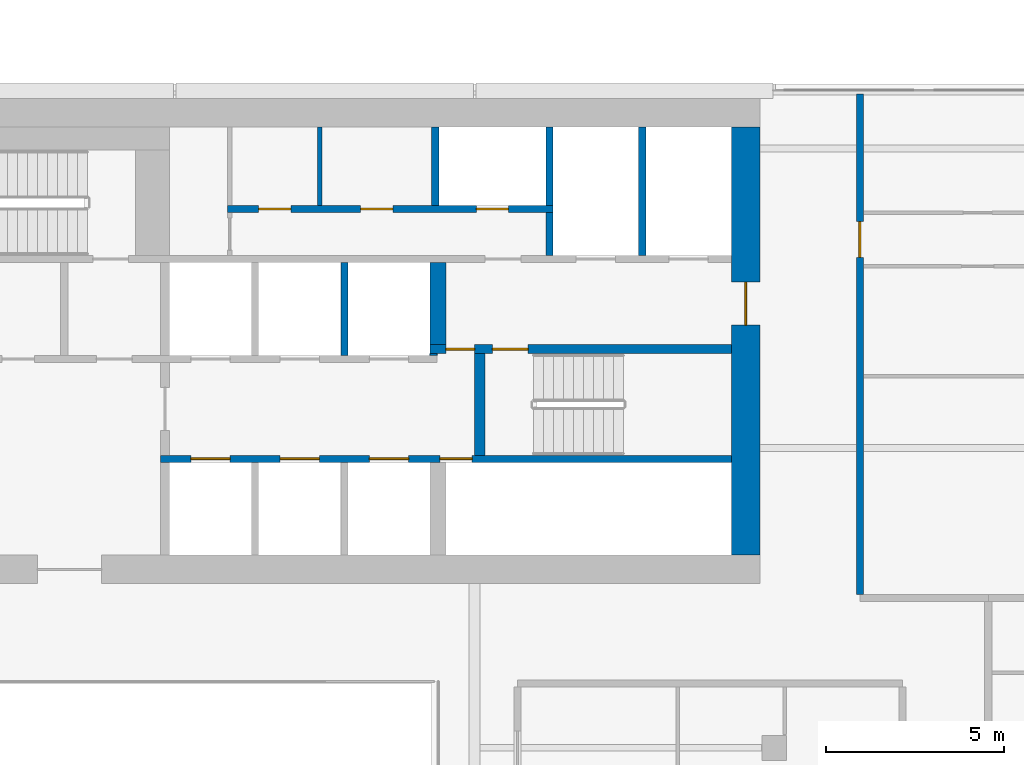
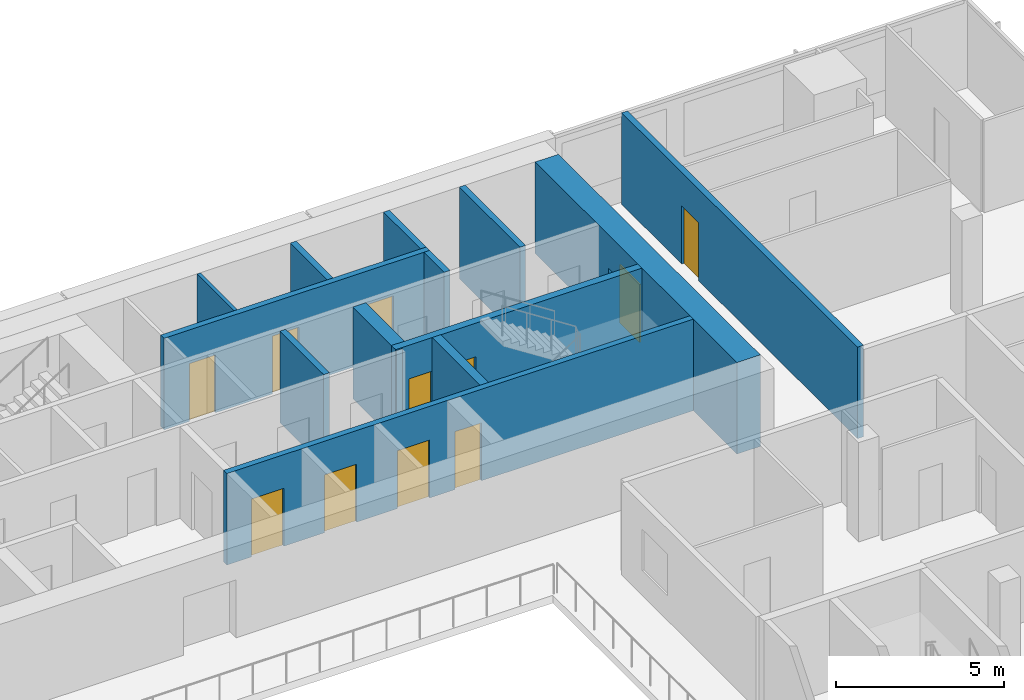
# One storey, part 22 of 28: 14 walls, 11 doors, 11 openings.
"""IFC4 building model written with IfcOpenShell, lengths in metres."""

from ifc_helpers import new_model, si_unit, direction, frame, frame_2d, origin, place, context, subcontext, project, spatial, rectangle, extrude, material, layer, layer_set, type_object, element, fill, save


model = new_model("IFC4")

# Units and contexts
model_context = context("Model", 3, precision=1e-05, world=origin(), true_north=direction((0.0, 1.0)))
body_context = subcontext(model_context, "Body", "Model", "MODEL_VIEW")
ifc_project = project(units=[si_unit("LENGTHUNIT", "METRE"), si_unit("AREAUNIT", "SQUARE_METRE"), si_unit("VOLUMEUNIT", "CUBIC_METRE"), si_unit("PLANEANGLEUNIT", "RADIAN"), si_unit("MASSUNIT", "GRAM", prefix="KILO")], contexts=[model_context])

# Site, building, storey
site_placement = place(None, origin())
site = spatial("IfcSite", under=ifc_project, at=site_placement, CompositionType="ELEMENT")
building_placement = place(site_placement, origin())
building = spatial("IfcBuilding", under=site, at=building_placement, Name="Saffron Gate Tower", CompositionType="ELEMENT")
storey_placement = place(building_placement, frame((0.0, 0.0, 154.64990234375)))
storey = spatial("IfcBuildingStorey", under=building, at=storey_placement, Name="L37", CompositionType="ELEMENT", Elevation=154.64990234375)

# Wall, opening, door
ifc_material_1 = material(Name="Concrete C60", Category="concrete")
ifc_layer_1 = layer(ifc_material_1, 0.800048828125)
ifc_layer_set_1 = layer_set([ifc_layer_1], Name="CW13 RC core wall 800 C60")
wall_type_1 = type_object("IfcWallType", Name="CW13 RC core wall 800 C60", PredefinedType="SOLIDWALL", material=ifc_layer_set_1)
wall_1_placement = place(storey_placement, frame((107.800048828125, 62.39990234375, 0.0), z_axis=(0.0, 0.0, 1.0), x_axis=(0.0, 1.0, 0.0)))
wall_1 = element("IfcWall", 1, at=wall_1_placement, inside=storey, type_object=wall_type_1, Name="Wall CW13-L37-4", PredefinedType="SOLIDWALL", context=body_context, shape_type="SweptSolid", body=[
    extrude(rectangle(XDim=12.0, YDim=0.800048828125, at=frame_2d((6.0, 0.0))), origin(), (0.0, 0.0, 1.0), 3.320068359375),
])
opening_1_placement = place(wall_1_placement, frame((6.449951171875, 0.0, 0.0)))
opening_1 = element("IfcOpeningElement", 2, at=opening_1_placement, cuts=wall_1, Name="Opening CR-08", PredefinedType="OPENING", context=body_context, shape_type="SweptSolid", body=[
    extrude(rectangle(XDim=1.199951171875, YDim=2.10009765625, at=frame_2d((0.60009765625, 1.050048828125))), frame((0.0, 0.41015625, 0.0), z_axis=(0.0, -1.0, 0.0), x_axis=(1.0, 0.0, 0.0)), (0.0, 0.0, 1.0), 0.820068359375),
])
ifc_material_2 = material(Name="Steel fire door set", Category="steel")
door_type_1 = type_object("IfcDoorType", Name="CD7 Core entrance door 1200x2100 EI 120", OperationType="NOTDEFINED", PredefinedType="DOOR", material=ifc_material_2)
door_1_placement = place(opening_1_placement, origin())
door_1 = element("IfcDoor", 3, at=door_1_placement, inside=storey, type_object=door_type_1, Name="DOOR CR-08", OperationType="SINGLE_SWING_RIGHT", OverallHeight=2.10009765625, OverallWidth=1.199951171875, PredefinedType="DOOR", context=body_context, shape_type="SweptSolid", body=[
    extrude(rectangle(XDim=1.199951171875, YDim=2.10009765625, at=frame_2d((0.60009765625, 1.050048828125))), frame((0.0, 0.02490234375, 0.0), z_axis=(0.0, -1.0, 0.0), x_axis=(1.0, 0.0, 0.0)), (0.0, 0.0, 1.0), 0.050048828125),
])
fill(opening_1, door_1)

# Wall, openings, doors
ifc_layer_2 = layer(ifc_material_1, 0.25)
ifc_layer_set_2 = layer_set([ifc_layer_2], Name="CW14 RC core wall 250 C60")
wall_type_2 = type_object("IfcWallType", Name="CW14 RC core wall 250 C60", PredefinedType="SOLIDWALL", material=ifc_layer_set_2)
wall_2_placement = place(storey_placement, frame((98.949951171875, 68.175048828125, 0.0), z_axis=(0.0, 0.0, 1.0), x_axis=(1.0, 0.0, 0.0)))
wall_2 = element("IfcWall", 4, at=wall_2_placement, inside=storey, type_object=wall_type_2, Name="Wall CW14-L37-28", PredefinedType="SOLIDWALL", context=body_context, shape_type="SweptSolid", body=[
    extrude(rectangle(XDim=8.449951171875, YDim=0.25, at=frame_2d((4.22509765625, 0.0))), origin(), (0.0, 0.0, 1.0), 3.320068359375),
])
opening_2_placement = place(wall_2_placement, frame((0.449951171875, 0.0, 0.0)))
opening_2 = element("IfcOpeningElement", 5, at=opening_2_placement, cuts=wall_2, Name="Opening CR-05", PredefinedType="OPENING", context=body_context, shape_type="SweptSolid", body=[
    extrude(rectangle(XDim=0.800048828125, YDim=2.10009765625, at=frame_2d((0.39990234375, 1.050048828125))), frame((0.0, 0.135009765625, 0.0), z_axis=(0.0, -1.0, 0.0), x_axis=(1.0, 0.0, 0.0)), (0.0, 0.0, 1.0), 0.27001953125),
])
opening_3_placement = place(wall_2_placement, frame((1.75, 0.0, 0.0)))
opening_3 = element("IfcOpeningElement", 6, at=opening_3_placement, cuts=wall_2, Name="Opening CR-16", PredefinedType="OPENING", context=body_context, shape_type="SweptSolid", body=[
    extrude(rectangle(XDim=1.0, YDim=2.10009765625, at=frame_2d((0.5, 1.050048828125))), frame((0.0, 0.135009765625, 0.0), z_axis=(0.0, -1.0, 0.0), x_axis=(1.0, 0.0, 0.0)), (0.0, 0.0, 1.0), 0.27001953125),
])
door_type_2 = type_object("IfcDoorType", Name="CD5 Stair door 1000x2100 EI 120", OperationType="NOTDEFINED", PredefinedType="DOOR", material=ifc_material_2)
door_2_placement = place(opening_3_placement, origin())
door_2 = element("IfcDoor", 7, at=door_2_placement, inside=storey, type_object=door_type_2, Name="DOOR CR-16", OperationType="SINGLE_SWING_RIGHT", OverallHeight=2.10009765625, OverallWidth=1.0, PredefinedType="DOOR", context=body_context, shape_type="SweptSolid", body=[
    extrude(rectangle(XDim=1.0, YDim=2.10009765625, at=frame_2d((0.5, 1.050048828125))), frame((0.0, 0.02490234375, 0.0), z_axis=(0.0, -1.0, 0.0), x_axis=(1.0, 0.0, 0.0)), (0.0, 0.0, 1.0), 0.050048828125),
])
fill(opening_3, door_2)
door_type_3 = type_object("IfcDoorType", Name="CD6 Lobby door 800x2100 EI 120", OperationType="NOTDEFINED", PredefinedType="DOOR", material=ifc_material_2)
door_3_placement = place(opening_2_placement, origin())
door_3 = element("IfcDoor", 8, at=door_3_placement, inside=storey, type_object=door_type_3, Name="DOOR CR-05", OperationType="SINGLE_SWING_LEFT", OverallHeight=2.10009765625, OverallWidth=0.800048828125, PredefinedType="DOOR", context=body_context, shape_type="SweptSolid", body=[
    extrude(rectangle(XDim=0.800048828125, YDim=2.10009765625, at=frame_2d((0.39990234375, 1.050048828125))), frame((0.0, 0.02490234375, 0.0), z_axis=(0.0, -1.0, 0.0), x_axis=(1.0, 0.0, 0.0)), (0.0, 0.0, 1.0), 0.050048828125),
])
fill(opening_2, door_3)

ifc_layer_3 = layer(ifc_material_1, 0.199951171875)
ifc_layer_set_3 = layer_set([ifc_layer_3], Name="CW15 RC core wall 200 C60")
wall_type_3 = type_object("IfcWallType", Name="CW15 RC core wall 200 C60", PredefinedType="SOLIDWALL", material=ifc_layer_set_3)
wall_3_placement = place(storey_placement, frame((91.39990234375, 65.10009765625, 0.0), z_axis=(0.0, 0.0, 1.0), x_axis=(1.0, 0.0, 0.0)))
wall_3 = element("IfcWall", 9, at=wall_3_placement, inside=storey, type_object=wall_type_3, Name="Wall CW15-L37-13", PredefinedType="SOLIDWALL", context=body_context, shape_type="SweptSolid", body=[
    extrude(rectangle(XDim=16.0, YDim=0.199951171875, at=frame_2d((8.0, 0.0))), origin(), (0.0, 0.0, 1.0), 3.320068359375),
])
opening_4_placement = place(wall_3_placement, frame((0.85009765625, 0.0, 0.0)))
opening_4 = element("IfcOpeningElement", 10, at=opening_4_placement, cuts=wall_3, Name="Opening LD-HR1", PredefinedType="OPENING", context=body_context, shape_type="SweptSolid", body=[
    extrude(rectangle(XDim=1.10009765625, YDim=2.10009765625, at=frame_2d((0.550048828125, 1.050048828125))), frame((0.0, 0.10986328125, 0.0), z_axis=(0.0, -1.0, 0.0), x_axis=(1.0, 0.0, 0.0)), (0.0, 0.0, 1.0), 0.219970703125),
])
opening_5_placement = place(wall_3_placement, frame((3.35009765625, 0.0, 0.0)))
opening_5 = element("IfcOpeningElement", 11, at=opening_5_placement, cuts=wall_3, Name="Opening LD-HR2", PredefinedType="OPENING", context=body_context, shape_type="SweptSolid", body=[
    extrude(rectangle(XDim=1.10009765625, YDim=2.10009765625, at=frame_2d((0.550048828125, 1.050048828125))), frame((0.0, 0.10986328125, 0.0), z_axis=(0.0, -1.0, 0.0), x_axis=(1.0, 0.0, 0.0)), (0.0, 0.0, 1.0), 0.219970703125),
])
opening_6_placement = place(wall_3_placement, frame((5.85009765625, 0.0, 0.0)))
opening_6 = element("IfcOpeningElement", 12, at=opening_6_placement, cuts=wall_3, Name="Opening LD-HR3", PredefinedType="OPENING", context=body_context, shape_type="SweptSolid", body=[
    extrude(rectangle(XDim=1.10009765625, YDim=2.10009765625, at=frame_2d((0.550048828125, 1.050048828125))), frame((0.0, 0.10986328125, 0.0), z_axis=(0.0, -1.0, 0.0), x_axis=(1.0, 0.0, 0.0)), (0.0, 0.0, 1.0), 0.219970703125),
])
opening_7_placement = place(wall_3_placement, frame((7.830078125, 0.0, 0.0)))
opening_7 = element("IfcOpeningElement", 13, at=opening_7_placement, cuts=wall_3, Name="Opening CR-48", PredefinedType="OPENING", context=body_context, shape_type="SweptSolid", body=[
    extrude(rectangle(XDim=0.89990234375, YDim=2.10009765625, at=frame_2d((0.449951171875, 1.050048828125))), frame((0.0, 0.10986328125, 0.0), z_axis=(0.0, -1.0, 0.0), x_axis=(1.0, 0.0, 0.0)), (0.0, 0.0, 1.0), 0.219970703125),
])
door_type_4 = type_object("IfcDoorType", Name="CD2 Riser door 900x2100 EI 60", OperationType="NOTDEFINED", PredefinedType="DOOR", material=ifc_material_2)
door_4_placement = place(opening_7_placement, origin())
door_4 = element("IfcDoor", 14, at=door_4_placement, inside=storey, type_object=door_type_4, Name="DOOR CR-48", OperationType="SINGLE_SWING_RIGHT", OverallHeight=2.10009765625, OverallWidth=0.89990234375, PredefinedType="DOOR", context=body_context, shape_type="SweptSolid", body=[
    extrude(rectangle(XDim=0.89990234375, YDim=2.10009765625, at=frame_2d((0.449951171875, 1.050048828125))), frame((0.0, 0.02490234375, 0.0), z_axis=(0.0, -1.0, 0.0), x_axis=(1.0, 0.0, 0.0)), (0.0, 0.0, 1.0), 0.050048828125),
])
fill(opening_7, door_4)
ifc_material_3 = material(Name="Stainless steel landing door", Category="steel")
door_type_5 = type_object("IfcDoorType", Name="LD Lift landing door 1100x2100 EI 120", OperationType="SLIDING_TO_LEFT", PredefinedType="DOOR", material=ifc_material_3)
door_5_placement = place(opening_4_placement, origin())
door_5 = element("IfcDoor", 15, at=door_5_placement, inside=storey, type_object=door_type_5, Name="LANDING DOOR LD-HR1", OperationType="SLIDING_TO_LEFT", OverallHeight=2.10009765625, OverallWidth=1.10009765625, PredefinedType="DOOR", context=body_context, shape_type="SweptSolid", body=[
    extrude(rectangle(XDim=1.10009765625, YDim=2.10009765625, at=frame_2d((0.550048828125, 1.050048828125))), frame((0.0, 0.02490234375, 0.0), z_axis=(0.0, -1.0, 0.0), x_axis=(1.0, 0.0, 0.0)), (0.0, 0.0, 1.0), 0.050048828125),
])
fill(opening_4, door_5)
door_6_placement = place(opening_5_placement, origin())
door_6 = element("IfcDoor", 16, at=door_6_placement, inside=storey, type_object=door_type_5, Name="LANDING DOOR LD-HR2", OperationType="SLIDING_TO_LEFT", OverallHeight=2.10009765625, OverallWidth=1.10009765625, PredefinedType="DOOR", context=body_context, shape_type="SweptSolid", body=[
    extrude(rectangle(XDim=1.10009765625, YDim=2.10009765625, at=frame_2d((0.550048828125, 1.050048828125))), frame((0.0, 0.02490234375, 0.0), z_axis=(0.0, -1.0, 0.0), x_axis=(1.0, 0.0, 0.0)), (0.0, 0.0, 1.0), 0.050048828125),
])
fill(opening_5, door_6)
door_7_placement = place(opening_6_placement, origin())
door_7 = element("IfcDoor", 17, at=door_7_placement, inside=storey, type_object=door_type_5, Name="LANDING DOOR LD-HR3", OperationType="SLIDING_TO_LEFT", OverallHeight=2.10009765625, OverallWidth=1.10009765625, PredefinedType="DOOR", context=body_context, shape_type="SweptSolid", body=[
    extrude(rectangle(XDim=1.10009765625, YDim=2.10009765625, at=frame_2d((0.550048828125, 1.050048828125))), frame((0.0, 0.02490234375, 0.0), z_axis=(0.0, -1.0, 0.0), x_axis=(1.0, 0.0, 0.0)), (0.0, 0.0, 1.0), 0.050048828125),
])
fill(opening_6, door_7)

# Walls
wall_4_placement = place(storey_placement, frame((96.550048828125, 68.0, 0.0), z_axis=(0.0, 0.0, 1.0), x_axis=(0.0, 1.0, 0.0)))
element("IfcWall", 18, at=wall_4_placement, inside=storey, type_object=wall_type_3, Name="Wall CW15-L37-25", PredefinedType="SOLIDWALL", context=body_context, shape_type="SweptSolid", body=[
    extrude(rectangle(XDim=2.60009765625, YDim=0.199951171875, at=frame_2d((1.300048828125, 0.0))), origin(), (0.0, 0.0, 1.0), 3.320068359375),
])
wall_5_placement = place(storey_placement, frame((102.300048828125, 70.800048828125, 0.0), z_axis=(0.0, 0.0, 1.0), x_axis=(0.0, 1.0, 0.0)))
element("IfcWall", 19, at=wall_5_placement, inside=storey, type_object=wall_type_3, Name="Wall CW15-L37-38", PredefinedType="SOLIDWALL", context=body_context, shape_type="SweptSolid", body=[
    extrude(rectangle(XDim=1.199951171875, YDim=0.199951171875, at=frame_2d((0.60009765625, 0.0))), origin(), (0.0, 0.0, 1.0), 3.320068359375),
])
wall_6_placement = place(storey_placement, frame((104.89990234375, 70.800048828125, 0.0), z_axis=(0.0, 0.0, 1.0), x_axis=(0.0, 1.0, 0.0)))
element("IfcWall", 20, at=wall_6_placement, inside=storey, type_object=wall_type_3, Name="Wall CW15-L37-39", PredefinedType="SOLIDWALL", context=body_context, shape_type="SweptSolid", body=[
    extrude(rectangle(XDim=3.599853515625, YDim=0.199951171875, at=frame_2d((1.7998046875, 0.0))), origin(), (0.0, 0.0, 1.0), 3.320068359375),
])

# Wall, openings, doors
wall_7_placement = place(storey_placement, frame((93.280029296875, 72.10009765625, 0.0), z_axis=(0.0, 0.0, 1.0), x_axis=(1.0, 0.0, 0.0)))
wall_7 = element("IfcWall", 21, at=wall_7_placement, inside=storey, type_object=wall_type_3, Name="Wall CW15-L37-41", PredefinedType="SOLIDWALL", context=body_context, shape_type="SweptSolid", body=[
    extrude(rectangle(XDim=9.119873046875, YDim=0.199951171875, at=frame_2d((4.56005859375, 0.0))), origin(), (0.0, 0.0, 1.0), 3.320068359375),
])
opening_8_placement = place(wall_7_placement, frame((0.8701171875, 0.0, 0.0)))
opening_8 = element("IfcOpeningElement", 22, at=opening_8_placement, cuts=wall_7, Name="Opening CR-50", PredefinedType="OPENING", context=body_context, shape_type="SweptSolid", body=[
    extrude(rectangle(XDim=0.89990234375, YDim=2.10009765625, at=frame_2d((0.449951171875, 1.050048828125))), frame((0.0, 0.10986328125, 0.0), z_axis=(0.0, -1.0, 0.0), x_axis=(1.0, 0.0, 0.0)), (0.0, 0.0, 1.0), 0.219970703125),
])
opening_9_placement = place(wall_7_placement, frame((3.72998046875, 0.0, 0.0)))
opening_9 = element("IfcOpeningElement", 23, at=opening_9_placement, cuts=wall_7, Name="Opening CR-53", PredefinedType="OPENING", context=body_context, shape_type="SweptSolid", body=[
    extrude(rectangle(XDim=0.89990234375, YDim=2.10009765625, at=frame_2d((0.449951171875, 1.050048828125))), frame((0.0, 0.10986328125, 0.0), z_axis=(0.0, -1.0, 0.0), x_axis=(1.0, 0.0, 0.0)), (0.0, 0.0, 1.0), 0.219970703125),
])
opening_10_placement = place(wall_7_placement, frame((6.969970703125, 0.0, 0.0)))
opening_10 = element("IfcOpeningElement", 24, at=opening_10_placement, cuts=wall_7, Name="Opening CR-70", PredefinedType="OPENING", context=body_context, shape_type="SweptSolid", body=[
    extrude(rectangle(XDim=0.89990234375, YDim=2.10009765625, at=frame_2d((0.449951171875, 1.050048828125))), frame((0.0, 0.10986328125, 0.0), z_axis=(0.0, -1.0, 0.0), x_axis=(1.0, 0.0, 0.0)), (0.0, 0.0, 1.0), 0.219970703125),
])
door_8_placement = place(opening_10_placement, origin())
door_8 = element("IfcDoor", 25, at=door_8_placement, inside=storey, type_object=door_type_4, Name="DOOR CR-70", OperationType="SINGLE_SWING_LEFT", OverallHeight=2.10009765625, OverallWidth=0.89990234375, PredefinedType="DOOR", context=body_context, shape_type="SweptSolid", body=[
    extrude(rectangle(XDim=0.89990234375, YDim=2.10009765625, at=frame_2d((0.449951171875, 1.050048828125))), frame((0.0, 0.02490234375, 0.0), z_axis=(0.0, -1.0, 0.0), x_axis=(1.0, 0.0, 0.0)), (0.0, 0.0, 1.0), 0.050048828125),
])
fill(opening_10, door_8)
door_type_6 = type_object("IfcDoorType", Name="CD9 Room door 900x2100 EI 60", OperationType="NOTDEFINED", PredefinedType="DOOR", material=ifc_material_2)
door_9_placement = place(opening_8_placement, origin())
door_9 = element("IfcDoor", 26, at=door_9_placement, inside=storey, type_object=door_type_6, Name="DOOR CR-50", OperationType="SINGLE_SWING_LEFT", OverallHeight=2.10009765625, OverallWidth=0.89990234375, PredefinedType="DOOR", context=body_context, shape_type="SweptSolid", body=[
    extrude(rectangle(XDim=0.89990234375, YDim=2.10009765625, at=frame_2d((0.449951171875, 1.050048828125))), frame((0.0, 0.02490234375, 0.0), z_axis=(0.0, -1.0, 0.0), x_axis=(1.0, 0.0, 0.0)), (0.0, 0.0, 1.0), 0.050048828125),
])
fill(opening_8, door_9)
door_10_placement = place(opening_9_placement, origin())
door_10 = element("IfcDoor", 27, at=door_10_placement, inside=storey, type_object=door_type_6, Name="DOOR CR-53", OperationType="SINGLE_SWING_LEFT", OverallHeight=2.10009765625, OverallWidth=0.89990234375, PredefinedType="DOOR", context=body_context, shape_type="SweptSolid", body=[
    extrude(rectangle(XDim=0.89990234375, YDim=2.10009765625, at=frame_2d((0.449951171875, 1.050048828125))), frame((0.0, 0.02490234375, 0.0), z_axis=(0.0, -1.0, 0.0), x_axis=(1.0, 0.0, 0.0)), (0.0, 0.0, 1.0), 0.050048828125),
])
fill(opening_9, door_10)

# Walls
for number, where, z_axis, x_axis, name in (
    (28, (99.10009765625, 72.199951171875, 0.0), (0.0, 0.0, 1.0), (0.0, 1.0, 0.0), "Wall CW15-L37-48"),
    (29, (102.300048828125, 72.199951171875, 0.0), (0.0, 0.0, 1.0), (0.0, 1.0, 0.0), "Wall CW15-L37-49"),
):
    element("IfcWall", number, at=place(storey_placement, frame(where, z_axis=z_axis, x_axis=x_axis)), inside=storey, type_object=wall_type_3, Name=name, PredefinedType="SOLIDWALL", context=body_context, shape_type="SweptSolid", body=[
        extrude(rectangle(XDim=2.199951171875, YDim=0.199951171875, at=frame_2d((1.10009765625, 0.0))), origin(), (0.0, 0.0, 1.0), 3.320068359375),
    ])
ifc_layer_4 = layer(ifc_material_1, 0.449951171875)
ifc_layer_set_4 = layer_set([ifc_layer_4], Name="CW16 RC core wall 450 C60")
wall_type_4 = type_object("IfcWallType", Name="CW16 RC core wall 450 C60", PredefinedType="SOLIDWALL", material=ifc_layer_set_4)
wall_8_placement = place(storey_placement, frame((99.175048828125, 68.300048828125, 0.0), z_axis=(0.0, 0.0, 1.0), x_axis=(0.0, 1.0, 0.0)))
element("IfcWall", 30, at=wall_8_placement, inside=storey, type_object=wall_type_4, Name="Wall CW16-L37-30", PredefinedType="SOLIDWALL", context=body_context, shape_type="SweptSolid", body=[
    extrude(rectangle(XDim=2.300048828125, YDim=0.449951171875, at=frame_2d((1.14990234375, 0.0))), origin(), (0.0, 0.0, 1.0), 3.320068359375),
])
ifc_layer_5 = layer(ifc_material_1, 0.300048828125)
ifc_layer_set_5 = layer_set([ifc_layer_5], Name="CW17 RC core wall 300 C60")
wall_type_5 = type_object("IfcWallType", Name="CW17 RC core wall 300 C60", PredefinedType="SOLIDWALL", material=ifc_layer_set_5)
wall_9_placement = place(storey_placement, frame((100.35009765625, 65.199951171875, 0.0), z_axis=(0.0, 0.0, 1.0), x_axis=(0.0, 1.0, 0.0)))
element("IfcWall", 31, at=wall_9_placement, inside=storey, type_object=wall_type_5, Name="Wall CW17-L37-17", PredefinedType="SOLIDWALL", context=body_context, shape_type="SweptSolid", body=[
    extrude(rectangle(XDim=2.85009765625, YDim=0.300048828125, at=frame_2d((1.425048828125, 0.0))), origin(), (0.0, 0.0, 1.0), 3.320068359375),
])
ifc_layer_6 = layer(ifc_material_1, 0.050048828125)
ifc_layer_set_6 = layer_set([ifc_layer_6], Name="CW18 RC core wall 50 C60")
wall_type_6 = type_object("IfcWallType", Name="CW18 RC core wall 50 C60", PredefinedType="SOLIDWALL", material=ifc_layer_set_6)
wall_10_placement = place(storey_placement, frame((98.949951171875, 68.02490234375, 0.0), z_axis=(0.0, 0.0, 1.0), x_axis=(1.0, 0.0, 0.0)))
element("IfcWall", 32, at=wall_10_placement, inside=storey, type_object=wall_type_6, Name="Wall CW18-L37-26", PredefinedType="SOLIDWALL", context=body_context, shape_type="SweptSolid", body=[
    extrude(rectangle(XDim=0.199951171875, YDim=0.050048828125, at=frame_2d((0.10009765625, 0.0))), origin(), (0.0, 0.0, 1.0), 3.320068359375),
])
ifc_material_4 = material(Name="Gypsum board partition on steel studs", Category="steel")
ifc_layer_7 = layer(ifc_material_4, 0.1201171875)
ifc_layer_set_7 = layer_set([ifc_layer_7], Name="CW8 Core partition 120")
wall_type_7 = type_object("IfcWallType", Name="CW8 Core partition 120", PredefinedType="PARTITIONING", material=ifc_layer_set_7)
wall_11_placement = place(storey_placement, frame((95.860107421875, 72.199951171875, 0.0), z_axis=(0.0, 0.0, 1.0), x_axis=(0.0, 1.0, 0.0)))
element("IfcWall", 33, at=wall_11_placement, inside=storey, type_object=wall_type_7, Name="Wall CW8-L37-47", PredefinedType="PARTITIONING", context=body_context, shape_type="SweptSolid", body=[
    extrude(rectangle(XDim=2.199951171875, YDim=0.1201171875, at=frame_2d((1.10009765625, 0.0))), origin(), (0.0, 0.0, 1.0), 3.320068359375),
])

# Wall, opening, door
ifc_material_5 = material(Name="Clay brick masonry, rendered", Category="masonry")
ifc_layer_8 = layer(ifc_material_5, 0.199951171875)
ifc_layer_set_8 = layer_set([ifc_layer_8], Name="PW3 Corridor wall 200")
wall_type_8 = type_object("IfcWallType", Name="PW3 Corridor wall 200", PredefinedType="PARTITIONING", material=ifc_layer_set_8)
wall_12_placement = place(storey_placement, frame((111.0, 75.320068359375, 0.0), z_axis=(0.0, 0.0, 1.0), x_axis=(0.0, -1.0, 0.0)))
wall_12 = element("IfcWall", 34, at=wall_12_placement, inside=storey, type_object=wall_type_8, Name="Wall C1-100", PredefinedType="PARTITIONING", context=body_context, shape_type="SweptSolid", body=[
    extrude(rectangle(XDim=14.02001953125, YDim=0.199951171875, at=frame_2d((7.010009765625, 0.0))), origin(), (0.0, 0.0, 1.0), 3.320068359375),
])
opening_11_placement = place(wall_12_placement, frame((3.570068359375, 0.0, 0.0)))
opening_11 = element("IfcOpeningElement", 35, at=opening_11_placement, cuts=wall_12, Name="Opening C1-8", PredefinedType="OPENING", context=body_context, shape_type="SweptSolid", body=[
    extrude(rectangle(XDim=1.0, YDim=2.10009765625, at=frame_2d((0.5, 1.050048828125))), frame((0.0, 0.10986328125, 0.0), z_axis=(0.0, -1.0, 0.0), x_axis=(1.0, 0.0, 0.0)), (0.0, 0.0, 1.0), 0.219970703125),
])
ifc_material_6 = material(Name="Timber fire door set", Category="wood")
door_type_7 = type_object("IfcDoorType", Name="FD1 Flat entry door 1000x2100", OperationType="NOTDEFINED", PredefinedType="DOOR", material=ifc_material_6)
door_11_placement = place(opening_11_placement, origin())
door_11 = element("IfcDoor", 36, at=door_11_placement, inside=storey, type_object=door_type_7, Name="Door C1-8", OperationType="SINGLE_SWING_RIGHT", OverallHeight=2.10009765625, OverallWidth=1.0, PredefinedType="DOOR", context=body_context, shape_type="SweptSolid", body=[
    extrude(rectangle(XDim=1.0, YDim=2.10009765625, at=frame_2d((0.5, 1.050048828125))), frame((0.0, 0.02490234375, 0.0), z_axis=(0.0, -1.0, 0.0), x_axis=(1.0, 0.0, 0.0)), (0.0, 0.0, 1.0), 0.050048828125),
])
fill(opening_11, door_11)

save(model, "model.ifc")
